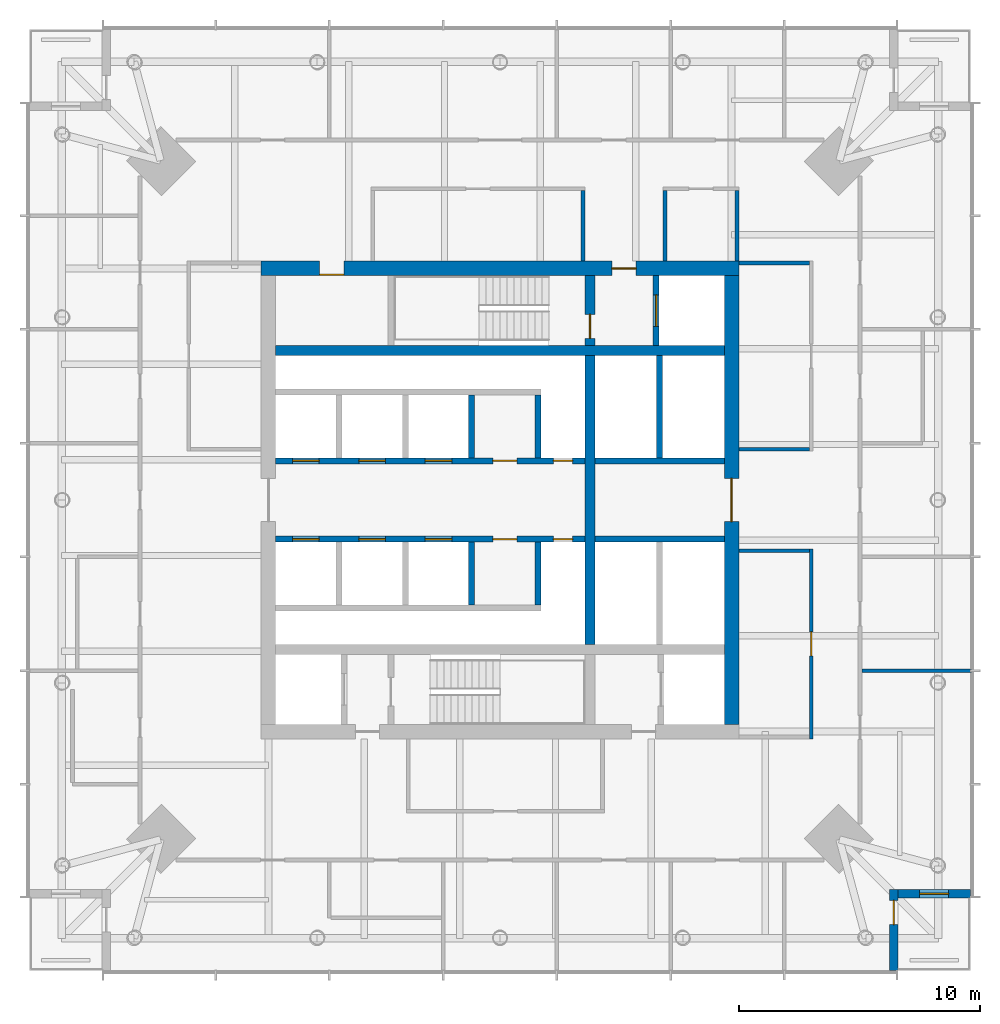
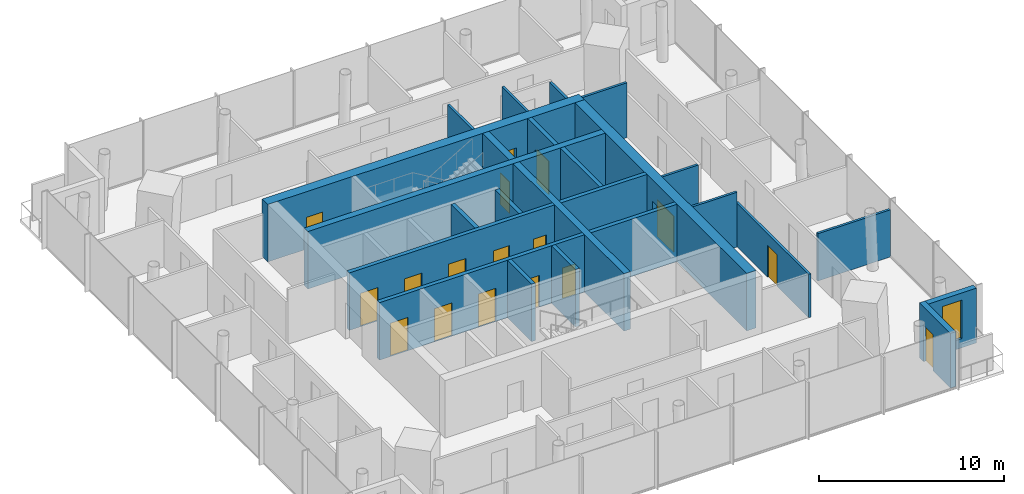
# One storey, part 5 of 7: 25 walls, 17 doors, 1 window, 18 openings.
"""IFC4 building model written with IfcOpenShell, lengths in metres."""

from ifc_helpers import new_model, si_unit, direction, frame, frame_2d, origin, place, context, subcontext, project, spatial, rectangle, extrude, material, layer, layer_set, type_object, element, fill, save


model = new_model("IFC4")

# Units and contexts
model_context = context("Model", 3, precision=1e-05, world=origin(), true_north=direction((0.0, 1.0)))
body_context = subcontext(model_context, "Body", "Model", "MODEL_VIEW")
ifc_project = project(units=[si_unit("LENGTHUNIT", "METRE"), si_unit("AREAUNIT", "SQUARE_METRE"), si_unit("VOLUMEUNIT", "CUBIC_METRE"), si_unit("PLANEANGLEUNIT", "RADIAN"), si_unit("MASSUNIT", "GRAM", prefix="KILO")], contexts=[model_context])

# Site, building, storey
site_placement = place(None, origin())
site = spatial("IfcSite", under=ifc_project, at=site_placement, CompositionType="ELEMENT")
building_placement = place(site_placement, origin())
building = spatial("IfcBuilding", under=site, at=building_placement, Name="Ostroluk Exchange", CompositionType="ELEMENT")
storey_placement = place(building_placement, frame((0.0, 0.0, 203.39990234375)))
storey = spatial("IfcBuildingStorey", under=building, at=storey_placement, Name="L52", CompositionType="ELEMENT", Elevation=203.39990234375)

# Walls
ifc_material_1 = material(Name="Concrete C50/60", Category="concrete")
ifc_layer_1 = layer(ifc_material_1, 0.39990234375)
ifc_layer_set_1 = layer_set([ifc_layer_1], Name="Core cross wall 400 C50/60")
wall_type_1 = type_object("IfcWallType", Name="Core cross wall 400 C50/60", PredefinedType="SHEAR", material=ifc_layer_set_1)
wall_1_placement = place(storey_placement, frame((35.699951171875, 52.199951171875, 0.0), z_axis=(0.0, 0.0, 1.0), x_axis=(1.0, 0.0, 0.0)))
element("IfcWall", 1, at=wall_1_placement, inside=storey, type_object=wall_type_1, Name="T1 core wall XN", PredefinedType="SHEAR", context=body_context, shape_type="SweptSolid", body=[
    extrude(rectangle(XDim=18.60009765625, YDim=0.39990234375, at=frame_2d((9.300048828125, 0.0))), origin(), (0.0, 0.0, 1.0), 3.800048828125),
])
wall_2_placement = place(storey_placement, frame((48.72998046875, 40.0, 0.0), z_axis=(0.0, 0.0, 1.0), x_axis=(0.0, 1.0, 0.0)))
element("IfcWall", 2, at=wall_2_placement, inside=storey, type_object=wall_type_1, Name="T1 core wall YE2", PredefinedType="SHEAR", context=body_context, shape_type="SweptSolid", body=[
    extrude(rectangle(XDim=12.0, YDim=0.39990234375, at=frame_2d((6.0, 0.0))), origin(), (0.0, 0.0, 1.0), 3.800048828125),
])

# Wall, opening, door
wall_3_placement = place(storey_placement, frame((48.72998046875, 52.39990234375, 0.0), z_axis=(0.0, 0.0, 1.0), x_axis=(0.0, 1.0, 0.0)))
wall_3 = element("IfcWall", 3, at=wall_3_placement, inside=storey, type_object=wall_type_1, Name="T1 core wall YE3", PredefinedType="SHEAR", context=body_context, shape_type="SweptSolid", body=[
    extrude(rectangle(XDim=2.900146484375, YDim=0.39990234375, at=frame_2d((1.4501953125, 0.0))), origin(), (0.0, 0.0, 1.0), 3.800048828125),
])
opening_1_placement = place(wall_3_placement, frame((0.300048828125, 0.0, 0.0)))
opening_1 = element("IfcOpeningElement", 4, at=opening_1_placement, cuts=wall_3, Name="Opening FD60", PredefinedType="OPENING", context=body_context, shape_type="SweptSolid", body=[
    extrude(rectangle(XDim=1.0, YDim=2.10009765625, at=frame_2d((0.5, 1.050048828125))), frame((0.0, 0.2099609375, 0.0), z_axis=(0.0, -1.0, 0.0), x_axis=(1.0, 0.0, 0.0)), (0.0, 0.0, 1.0), 0.419921875),
])
ifc_material_2 = material(Name="Steel", Category="steel")
door_type_1 = type_object("IfcDoorType", Name="Fire door EI 60 1000 x 2100", OperationType="SINGLE_SWING_LEFT", PredefinedType="DOOR", material=ifc_material_2)
door_1_placement = place(opening_1_placement, origin())
door_1 = element("IfcDoor", 5, at=door_1_placement, inside=storey, type_object=door_type_1, Name="Stair T1-S2 door", OperationType="SINGLE_SWING_LEFT", OverallHeight=2.10009765625, OverallWidth=1.0, PredefinedType="DOOR", context=body_context, shape_type="SweptSolid", body=[
    extrude(rectangle(XDim=1.0, YDim=2.10009765625, at=frame_2d((0.5, 1.050048828125))), frame((0.0, 0.02490234375, 0.0), z_axis=(0.0, -1.0, 0.0), x_axis=(1.0, 0.0, 0.0)), (0.0, 0.0, 1.0), 0.050048828125),
])
fill(opening_1, door_1)

ifc_material_3 = material(Name="Concrete C40/50", Category="concrete")
ifc_layer_2 = layer(ifc_material_3, 0.25)
ifc_layer_set_2 = layer_set([ifc_layer_2], Name="Core shaft wall 250")
wall_type_2 = type_object("IfcWallType", Name="Core shaft wall 250", PredefinedType="SHEAR", material=ifc_layer_set_2)
wall_4_placement = place(storey_placement, frame((51.47509765625, 52.39990234375, 0.0), z_axis=(0.0, 0.0, 1.0), x_axis=(0.0, 1.0, 0.0)))
wall_4 = element("IfcWall", 6, at=wall_4_placement, inside=storey, type_object=wall_type_2, Name="Firefighting lift shaft wall", PredefinedType="SHEAR", context=body_context, shape_type="SweptSolid", body=[
    extrude(rectangle(XDim=2.900146484375, YDim=0.25, at=frame_2d((1.4501953125, 0.0))), origin(), (0.0, 0.0, 1.0), 3.800048828125),
])
opening_2_placement = place(wall_4_placement, frame((0.800048828125, 0.0, 0.0)))
opening_2 = element("IfcOpeningElement", 7, at=opening_2_placement, cuts=wall_4, Name="Opening LD2", PredefinedType="OPENING", context=body_context, shape_type="SweptSolid", body=[
    extrude(rectangle(XDim=1.300048828125, YDim=2.199951171875, at=frame_2d((0.64990234375, 1.10009765625))), frame((0.0, 0.135009765625, 0.0), z_axis=(0.0, -1.0, 0.0), x_axis=(1.0, 0.0, 0.0)), (0.0, 0.0, 1.0), 0.27001953125),
])
ifc_material_4 = material(Name="Stainless steel", Category="steel")
door_type_2 = type_object("IfcDoorType", Name="Lift landing door E 60 1300 x 2200", OperationType="DOUBLE_DOOR_SLIDING", PredefinedType="DOOR", material=ifc_material_4)
door_2_placement = place(opening_2_placement, origin())
door_2 = element("IfcDoor", 8, at=door_2_placement, inside=storey, type_object=door_type_2, Name="Lift FL2 landing door", OperationType="DOUBLE_DOOR_SLIDING", OverallHeight=2.199951171875, OverallWidth=1.300048828125, PredefinedType="DOOR", context=body_context, shape_type="SweptSolid", body=[
    extrude(rectangle(XDim=1.300048828125, YDim=2.199951171875, at=frame_2d((0.64990234375, 1.10009765625))), frame((0.0, 0.02490234375, 0.0), z_axis=(0.0, -1.0, 0.0), x_axis=(1.0, 0.0, 0.0)), (0.0, 0.0, 1.0), 0.050048828125),
])
fill(opening_2, door_2)

# Walls
for number, where, z_axis, x_axis, name in (
    (9, (43.824951171875, 47.75, 0.0), (0.0, 0.0, 1.0), (0.0, 1.0, 0.0), "Lift shaft wall"),
    (10, (46.574951171875, 47.75, 0.0), (0.0, 0.0, 1.0), (0.0, 1.0, 0.0), "Lift shaft wall"),
):
    element("IfcWall", number, at=place(storey_placement, frame(where, z_axis=z_axis, x_axis=x_axis)), inside=storey, type_object=wall_type_2, Name=name, PredefinedType="SHEAR", context=body_context, shape_type="SweptSolid", body=[
        extrude(rectangle(XDim=2.60009765625, YDim=0.25, at=frame_2d((1.300048828125, 0.0))), origin(), (0.0, 0.0, 1.0), 3.800048828125),
    ])

# Wall, openings, doors
wall_5_placement = place(storey_placement, frame((35.699951171875, 47.625, 0.0), z_axis=(0.0, 0.0, 1.0), x_axis=(1.0, 0.0, 0.0)))
wall_5 = element("IfcWall", 11, at=wall_5_placement, inside=storey, type_object=wall_type_2, Name="Lift shaft front wall", PredefinedType="SHEAR", context=body_context, shape_type="SweptSolid", body=[
    extrude(rectangle(XDim=12.830078125, YDim=0.25, at=frame_2d((6.4150390625, 0.0))), origin(), (0.0, 0.0, 1.0), 3.800048828125),
])
opening_3_placement = place(wall_5_placement, frame((0.699951171875, 0.0, 0.0)))
opening_3 = element("IfcOpeningElement", 12, at=opening_3_placement, cuts=wall_5, Name="Opening LD", PredefinedType="OPENING", context=body_context, shape_type="SweptSolid", body=[
    extrude(rectangle(XDim=1.10009765625, YDim=2.199951171875, at=frame_2d((0.550048828125, 1.10009765625))), frame((0.0, 0.135009765625, 0.0), z_axis=(0.0, -1.0, 0.0), x_axis=(1.0, 0.0, 0.0)), (0.0, 0.0, 1.0), 0.27001953125),
])
opening_4_placement = place(wall_5_placement, frame((3.449951171875, 0.0, 0.0)))
opening_4 = element("IfcOpeningElement", 13, at=opening_4_placement, cuts=wall_5, Name="Opening LD", PredefinedType="OPENING", context=body_context, shape_type="SweptSolid", body=[
    extrude(rectangle(XDim=1.10009765625, YDim=2.199951171875, at=frame_2d((0.550048828125, 1.10009765625))), frame((0.0, 0.135009765625, 0.0), z_axis=(0.0, -1.0, 0.0), x_axis=(1.0, 0.0, 0.0)), (0.0, 0.0, 1.0), 0.27001953125),
])
opening_5_placement = place(wall_5_placement, frame((6.199951171875, 0.0, 0.0)))
opening_5 = element("IfcOpeningElement", 14, at=opening_5_placement, cuts=wall_5, Name="Opening LD", PredefinedType="OPENING", context=body_context, shape_type="SweptSolid", body=[
    extrude(rectangle(XDim=1.10009765625, YDim=2.199951171875, at=frame_2d((0.550048828125, 1.10009765625))), frame((0.0, 0.135009765625, 0.0), z_axis=(0.0, -1.0, 0.0), x_axis=(1.0, 0.0, 0.0)), (0.0, 0.0, 1.0), 0.27001953125),
])
opening_6_placement = place(wall_5_placement, frame((9.0, 0.0, 0.0)))
opening_6 = element("IfcOpeningElement", 15, at=opening_6_placement, cuts=wall_5, Name="Opening FD60", PredefinedType="OPENING", context=body_context, shape_type="SweptSolid", body=[
    extrude(rectangle(XDim=1.0, YDim=2.10009765625, at=frame_2d((0.5, 1.050048828125))), frame((0.0, 0.135009765625, 0.0), z_axis=(0.0, -1.0, 0.0), x_axis=(1.0, 0.0, 0.0)), (0.0, 0.0, 1.0), 0.27001953125),
])
opening_7_placement = place(wall_5_placement, frame((11.514892578125, 0.0, 0.0)))
opening_7 = element("IfcOpeningElement", 16, at=opening_7_placement, cuts=wall_5, Name="Opening RD60", PredefinedType="OPENING", context=body_context, shape_type="SweptSolid", body=[
    extrude(rectangle(XDim=0.800048828125, YDim=2.0, at=frame_2d((0.39990234375, 1.0))), frame((0.0, 0.135009765625, 0.0), z_axis=(0.0, -1.0, 0.0), x_axis=(1.0, 0.0, 0.0)), (0.0, 0.0, 1.0), 0.27001953125),
])
door_3_placement = place(opening_6_placement, origin())
door_3 = element("IfcDoor", 17, at=door_3_placement, inside=storey, type_object=door_type_1, Name="Core room door", OperationType="SINGLE_SWING_RIGHT", OverallHeight=2.10009765625, OverallWidth=1.0, PredefinedType="DOOR", context=body_context, shape_type="SweptSolid", body=[
    extrude(rectangle(XDim=1.0, YDim=2.10009765625, at=frame_2d((0.5, 1.050048828125))), frame((0.0, 0.02490234375, 0.0), z_axis=(0.0, -1.0, 0.0), x_axis=(1.0, 0.0, 0.0)), (0.0, 0.0, 1.0), 0.050048828125),
])
fill(opening_6, door_3)
ifc_material_5 = material(Name="Stainless steel", Category="steel")
door_type_3 = type_object("IfcDoorType", Name="Lift landing door E 60 1100 x 2200", OperationType="DOUBLE_DOOR_SLIDING", PredefinedType="DOOR", material=ifc_material_5)
door_4_placement = place(opening_3_placement, origin())
door_4 = element("IfcDoor", 18, at=door_4_placement, inside=storey, type_object=door_type_3, Name="Lift PL-H1 landing door", OperationType="DOUBLE_DOOR_SLIDING", OverallHeight=2.199951171875, OverallWidth=1.10009765625, PredefinedType="DOOR", context=body_context, shape_type="SweptSolid", body=[
    extrude(rectangle(XDim=1.10009765625, YDim=2.199951171875, at=frame_2d((0.550048828125, 1.10009765625))), frame((0.0, 0.02490234375, 0.0), z_axis=(0.0, -1.0, 0.0), x_axis=(1.0, 0.0, 0.0)), (0.0, 0.0, 1.0), 0.050048828125),
])
fill(opening_3, door_4)
door_5_placement = place(opening_4_placement, origin())
door_5 = element("IfcDoor", 19, at=door_5_placement, inside=storey, type_object=door_type_3, Name="Lift PL-H2 landing door", OperationType="DOUBLE_DOOR_SLIDING", OverallHeight=2.199951171875, OverallWidth=1.10009765625, PredefinedType="DOOR", context=body_context, shape_type="SweptSolid", body=[
    extrude(rectangle(XDim=1.10009765625, YDim=2.199951171875, at=frame_2d((0.550048828125, 1.10009765625))), frame((0.0, 0.02490234375, 0.0), z_axis=(0.0, -1.0, 0.0), x_axis=(1.0, 0.0, 0.0)), (0.0, 0.0, 1.0), 0.050048828125),
])
fill(opening_4, door_5)
door_6_placement = place(opening_5_placement, origin())
door_6 = element("IfcDoor", 20, at=door_6_placement, inside=storey, type_object=door_type_3, Name="Lift PL-H3 landing door", OperationType="DOUBLE_DOOR_SLIDING", OverallHeight=2.199951171875, OverallWidth=1.10009765625, PredefinedType="DOOR", context=body_context, shape_type="SweptSolid", body=[
    extrude(rectangle(XDim=1.10009765625, YDim=2.199951171875, at=frame_2d((0.550048828125, 1.10009765625))), frame((0.0, 0.02490234375, 0.0), z_axis=(0.0, -1.0, 0.0), x_axis=(1.0, 0.0, 0.0)), (0.0, 0.0, 1.0), 0.050048828125),
])
fill(opening_5, door_6)
ifc_material_6 = material(Name="Steel", Category="steel")
door_type_4 = type_object("IfcDoorType", Name="Riser access door EI 60 800 x 2000", OperationType="SINGLE_SWING_LEFT", PredefinedType="DOOR", material=ifc_material_6)
door_7_placement = place(opening_7_placement, origin())
door_7 = element("IfcDoor", 21, at=door_7_placement, inside=storey, type_object=door_type_4, Name="Riser access door", OperationType="SINGLE_SWING_RIGHT", OverallHeight=2.0, OverallWidth=0.800048828125, PredefinedType="DOOR", context=body_context, shape_type="SweptSolid", body=[
    extrude(rectangle(XDim=0.800048828125, YDim=2.0, at=frame_2d((0.39990234375, 1.0))), frame((0.0, 0.02490234375, 0.0), z_axis=(0.0, -1.0, 0.0), x_axis=(1.0, 0.0, 0.0)), (0.0, 0.0, 1.0), 0.050048828125),
])
fill(opening_7, door_7)

# Walls
for number, where, z_axis, x_axis, name in (
    (22, (43.824951171875, 44.25, 0.0), (0.0, 0.0, 1.0), (0.0, -1.0, 0.0), "Lift shaft wall"),
    (23, (46.574951171875, 44.25, 0.0), (0.0, 0.0, 1.0), (0.0, -1.0, 0.0), "Lift shaft wall"),
):
    element("IfcWall", number, at=place(storey_placement, frame(where, z_axis=z_axis, x_axis=x_axis)), inside=storey, type_object=wall_type_2, Name=name, PredefinedType="SHEAR", context=body_context, shape_type="SweptSolid", body=[
        extrude(rectangle(XDim=2.60009765625, YDim=0.25, at=frame_2d((1.300048828125, 0.0))), origin(), (0.0, 0.0, 1.0), 3.800048828125),
    ])

# Wall, openings, doors
wall_6_placement = place(storey_placement, frame((35.699951171875, 44.375, 0.0), z_axis=(0.0, 0.0, 1.0), x_axis=(1.0, 0.0, 0.0)))
wall_6 = element("IfcWall", 24, at=wall_6_placement, inside=storey, type_object=wall_type_2, Name="Lift shaft front wall", PredefinedType="SHEAR", context=body_context, shape_type="SweptSolid", body=[
    extrude(rectangle(XDim=12.830078125, YDim=0.25, at=frame_2d((6.4150390625, 0.0))), origin(), (0.0, 0.0, 1.0), 3.800048828125),
])
opening_8_placement = place(wall_6_placement, frame((0.699951171875, 0.0, 0.0)))
opening_8 = element("IfcOpeningElement", 25, at=opening_8_placement, cuts=wall_6, Name="Opening LD", PredefinedType="OPENING", context=body_context, shape_type="SweptSolid", body=[
    extrude(rectangle(XDim=1.10009765625, YDim=2.199951171875, at=frame_2d((0.550048828125, 1.10009765625))), frame((0.0, 0.135009765625, 0.0), z_axis=(0.0, -1.0, 0.0), x_axis=(1.0, 0.0, 0.0)), (0.0, 0.0, 1.0), 0.27001953125),
])
opening_9_placement = place(wall_6_placement, frame((3.449951171875, 0.0, 0.0)))
opening_9 = element("IfcOpeningElement", 26, at=opening_9_placement, cuts=wall_6, Name="Opening LD", PredefinedType="OPENING", context=body_context, shape_type="SweptSolid", body=[
    extrude(rectangle(XDim=1.10009765625, YDim=2.199951171875, at=frame_2d((0.550048828125, 1.10009765625))), frame((0.0, 0.135009765625, 0.0), z_axis=(0.0, -1.0, 0.0), x_axis=(1.0, 0.0, 0.0)), (0.0, 0.0, 1.0), 0.27001953125),
])
opening_10_placement = place(wall_6_placement, frame((6.199951171875, 0.0, 0.0)))
opening_10 = element("IfcOpeningElement", 27, at=opening_10_placement, cuts=wall_6, Name="Opening LD", PredefinedType="OPENING", context=body_context, shape_type="SweptSolid", body=[
    extrude(rectangle(XDim=1.10009765625, YDim=2.199951171875, at=frame_2d((0.550048828125, 1.10009765625))), frame((0.0, 0.135009765625, 0.0), z_axis=(0.0, -1.0, 0.0), x_axis=(1.0, 0.0, 0.0)), (0.0, 0.0, 1.0), 0.27001953125),
])
opening_11_placement = place(wall_6_placement, frame((9.0, 0.0, 0.0)))
opening_11 = element("IfcOpeningElement", 28, at=opening_11_placement, cuts=wall_6, Name="Opening FD60", PredefinedType="OPENING", context=body_context, shape_type="SweptSolid", body=[
    extrude(rectangle(XDim=1.0, YDim=2.10009765625, at=frame_2d((0.5, 1.050048828125))), frame((0.0, 0.135009765625, 0.0), z_axis=(0.0, -1.0, 0.0), x_axis=(1.0, 0.0, 0.0)), (0.0, 0.0, 1.0), 0.27001953125),
])
opening_12_placement = place(wall_6_placement, frame((11.514892578125, 0.0, 0.0)))
opening_12 = element("IfcOpeningElement", 29, at=opening_12_placement, cuts=wall_6, Name="Opening RD60", PredefinedType="OPENING", context=body_context, shape_type="SweptSolid", body=[
    extrude(rectangle(XDim=0.800048828125, YDim=2.0, at=frame_2d((0.39990234375, 1.0))), frame((0.0, 0.135009765625, 0.0), z_axis=(0.0, -1.0, 0.0), x_axis=(1.0, 0.0, 0.0)), (0.0, 0.0, 1.0), 0.27001953125),
])
door_8_placement = place(opening_11_placement, origin())
door_8 = element("IfcDoor", 30, at=door_8_placement, inside=storey, type_object=door_type_1, Name="Core room door", OperationType="SINGLE_SWING_RIGHT", OverallHeight=2.10009765625, OverallWidth=1.0, PredefinedType="DOOR", context=body_context, shape_type="SweptSolid", body=[
    extrude(rectangle(XDim=1.0, YDim=2.10009765625, at=frame_2d((0.5, 1.050048828125))), frame((0.0, 0.02490234375, 0.0), z_axis=(0.0, -1.0, 0.0), x_axis=(1.0, 0.0, 0.0)), (0.0, 0.0, 1.0), 0.050048828125),
])
fill(opening_11, door_8)
door_9_placement = place(opening_8_placement, origin())
door_9 = element("IfcDoor", 31, at=door_9_placement, inside=storey, type_object=door_type_3, Name="Lift PL-H4 landing door", OperationType="DOUBLE_DOOR_SLIDING", OverallHeight=2.199951171875, OverallWidth=1.10009765625, PredefinedType="DOOR", context=body_context, shape_type="SweptSolid", body=[
    extrude(rectangle(XDim=1.10009765625, YDim=2.199951171875, at=frame_2d((0.550048828125, 1.10009765625))), frame((0.0, 0.02490234375, 0.0), z_axis=(0.0, -1.0, 0.0), x_axis=(1.0, 0.0, 0.0)), (0.0, 0.0, 1.0), 0.050048828125),
])
fill(opening_8, door_9)
door_10_placement = place(opening_9_placement, origin())
door_10 = element("IfcDoor", 32, at=door_10_placement, inside=storey, type_object=door_type_3, Name="Lift PL-H5 landing door", OperationType="DOUBLE_DOOR_SLIDING", OverallHeight=2.199951171875, OverallWidth=1.10009765625, PredefinedType="DOOR", context=body_context, shape_type="SweptSolid", body=[
    extrude(rectangle(XDim=1.10009765625, YDim=2.199951171875, at=frame_2d((0.550048828125, 1.10009765625))), frame((0.0, 0.02490234375, 0.0), z_axis=(0.0, -1.0, 0.0), x_axis=(1.0, 0.0, 0.0)), (0.0, 0.0, 1.0), 0.050048828125),
])
fill(opening_9, door_10)
door_11_placement = place(opening_10_placement, origin())
door_11 = element("IfcDoor", 33, at=door_11_placement, inside=storey, type_object=door_type_3, Name="Lift PL-H6 landing door", OperationType="DOUBLE_DOOR_SLIDING", OverallHeight=2.199951171875, OverallWidth=1.10009765625, PredefinedType="DOOR", context=body_context, shape_type="SweptSolid", body=[
    extrude(rectangle(XDim=1.10009765625, YDim=2.199951171875, at=frame_2d((0.550048828125, 1.10009765625))), frame((0.0, 0.02490234375, 0.0), z_axis=(0.0, -1.0, 0.0), x_axis=(1.0, 0.0, 0.0)), (0.0, 0.0, 1.0), 0.050048828125),
])
fill(opening_10, door_11)
door_12_placement = place(opening_12_placement, origin())
door_12 = element("IfcDoor", 34, at=door_12_placement, inside=storey, type_object=door_type_4, Name="Riser access door", OperationType="SINGLE_SWING_RIGHT", OverallHeight=2.0, OverallWidth=0.800048828125, PredefinedType="DOOR", context=body_context, shape_type="SweptSolid", body=[
    extrude(rectangle(XDim=0.800048828125, YDim=2.0, at=frame_2d((0.39990234375, 1.0))), frame((0.0, 0.02490234375, 0.0), z_axis=(0.0, -1.0, 0.0), x_axis=(1.0, 0.0, 0.0)), (0.0, 0.0, 1.0), 0.050048828125),
])
fill(opening_12, door_12)

# Walls
wall_7_placement = place(storey_placement, frame((51.614990234375, 47.75, 0.0), z_axis=(0.0, 0.0, 1.0), x_axis=(0.0, 1.0, 0.0)))
element("IfcWall", 35, at=wall_7_placement, inside=storey, type_object=wall_type_2, Name="Lift shaft wall", PredefinedType="SHEAR", context=body_context, shape_type="SweptSolid", body=[
    extrude(rectangle(XDim=4.25, YDim=0.25, at=frame_2d((2.125, 0.0))), origin(), (0.0, 0.0, 1.0), 3.800048828125),
])
for number, where, z_axis, x_axis, name in (
    (36, (48.929931640625, 47.625, 0.0), (0.0, 0.0, 1.0), (1.0, 0.0, 0.0), "Lift shaft front wall"),
    (37, (48.929931640625, 44.375, 0.0), (0.0, 0.0, 1.0), (1.0, 0.0, 0.0), "Lift shaft front wall"),
):
    element("IfcWall", number, at=place(storey_placement, frame(where, z_axis=z_axis, x_axis=x_axis)), inside=storey, type_object=wall_type_2, Name=name, PredefinedType="SHEAR", context=body_context, shape_type="SweptSolid", body=[
        extrude(rectangle(XDim=5.3701171875, YDim=0.25, at=frame_2d((2.68505859375, 0.0))), origin(), (0.0, 0.0, 1.0), 3.800048828125),
    ])

# Wall, openings, doors
ifc_material_7 = material(Name="Concrete C50/60", Category="concrete")
ifc_layer_3 = layer(ifc_material_7, 0.60009765625)
ifc_layer_set_3 = layer_set([ifc_layer_3], Name="Core wall 600 C50/60")
wall_type_3 = type_object("IfcWallType", Name="Core wall 600 C50/60", PredefinedType="SHEAR", material=ifc_layer_set_3)
wall_8_placement = place(storey_placement, frame((35.10009765625, 55.60009765625, 0.0), z_axis=(0.0, 0.0, 1.0), x_axis=(1.0, 0.0, 0.0)))
wall_8 = element("IfcWall", 38, at=wall_8_placement, inside=storey, type_object=wall_type_3, Name="T1 core wall N", PredefinedType="SHEAR", context=body_context, shape_type="SweptSolid", body=[
    extrude(rectangle(XDim=19.7998046875, YDim=0.60009765625, at=frame_2d((9.89990234375, 0.0))), origin(), (0.0, 0.0, 1.0), 3.800048828125),
])
opening_13_placement = place(wall_8_placement, frame((14.5400390625, 0.0, 0.0)))
opening_13 = element("IfcOpeningElement", 39, at=opening_13_placement, cuts=wall_8, Name="Opening FD60", PredefinedType="OPENING", context=body_context, shape_type="SweptSolid", body=[
    extrude(rectangle(XDim=1.0, YDim=2.10009765625, at=frame_2d((0.5, 1.050048828125))), frame((0.0, 0.31005859375, 0.0), z_axis=(0.0, -1.0, 0.0), x_axis=(1.0, 0.0, 0.0)), (0.0, 0.0, 1.0), 0.6201171875),
])
opening_14_placement = place(wall_8_placement, frame((2.425048828125, 0.0, 0.0)))
opening_14 = element("IfcOpeningElement", 40, at=opening_14_placement, cuts=wall_8, Name="Opening FD60", PredefinedType="OPENING", context=body_context, shape_type="SweptSolid", body=[
    extrude(rectangle(XDim=1.0, YDim=2.10009765625, at=frame_2d((0.5, 1.050048828125))), frame((0.0, 0.31005859375, 0.0), z_axis=(0.0, -1.0, 0.0), x_axis=(1.0, 0.0, 0.0)), (0.0, 0.0, 1.0), 0.6201171875),
])
door_13_placement = place(opening_13_placement, origin())
door_13 = element("IfcDoor", 41, at=door_13_placement, inside=storey, type_object=door_type_1, Name="Firefighting lobby door", OperationType="SINGLE_SWING_RIGHT", OverallHeight=2.10009765625, OverallWidth=1.0, PredefinedType="DOOR", context=body_context, shape_type="SweptSolid", body=[
    extrude(rectangle(XDim=1.0, YDim=2.10009765625, at=frame_2d((0.5, 1.050048828125))), frame((0.0, 0.02490234375, 0.0), z_axis=(0.0, -1.0, 0.0), x_axis=(1.0, 0.0, 0.0)), (0.0, 0.0, 1.0), 0.050048828125),
])
fill(opening_13, door_13)
door_14_placement = place(opening_14_placement, origin())
door_14 = element("IfcDoor", 42, at=door_14_placement, inside=storey, type_object=door_type_1, Name="Tea point door", OperationType="SINGLE_SWING_LEFT", OverallHeight=2.10009765625, OverallWidth=1.0, PredefinedType="DOOR", context=body_context, shape_type="SweptSolid", body=[
    extrude(rectangle(XDim=1.0, YDim=2.10009765625, at=frame_2d((0.5, 1.050048828125))), frame((0.0, -0.23974609375, 0.0), z_axis=(0.0, -1.0, 0.0), x_axis=(1.0, 0.0, 0.0)), (0.0, 0.0, 1.0), 0.050048828125),
])
fill(opening_14, door_14)

# Wall, opening, door
wall_9_placement = place(storey_placement, frame((54.60009765625, 36.699951171875, 0.0), z_axis=(0.0, 0.0, 1.0), x_axis=(0.0, 1.0, 0.0)))
wall_9 = element("IfcWall", 43, at=wall_9_placement, inside=storey, type_object=wall_type_3, Name="T1 core wall E", PredefinedType="SHEAR", context=body_context, shape_type="SweptSolid", body=[
    extrude(rectangle(XDim=18.60009765625, YDim=0.60009765625, at=frame_2d((9.300048828125, 0.0))), origin(), (0.0, 0.0, 1.0), 3.800048828125),
])
opening_15_placement = place(wall_9_placement, frame((8.39990234375, 0.0, 0.0)))
opening_15 = element("IfcOpeningElement", 44, at=opening_15_placement, cuts=wall_9, Name="Opening FD30D", PredefinedType="OPENING", context=body_context, shape_type="SweptSolid", body=[
    extrude(rectangle(XDim=1.800048828125, YDim=2.39990234375, at=frame_2d((0.89990234375, 1.199951171875))), frame((0.0, 0.31005859375, 0.0), z_axis=(0.0, -1.0, 0.0), x_axis=(1.0, 0.0, 0.0)), (0.0, 0.0, 1.0), 0.6201171875),
])
ifc_material_8 = material(Name="Timber", Category="wood")
door_type_5 = type_object("IfcDoorType", Name="Lobby double door EI 30 1800 x 2400", OperationType="DOUBLE_DOOR_SINGLE_SWING", PredefinedType="DOOR", material=ifc_material_8)
door_15_placement = place(opening_15_placement, origin())
door_15 = element("IfcDoor", 45, at=door_15_placement, inside=storey, type_object=door_type_5, Name="Lift lobby doors", OperationType="DOUBLE_DOOR_SINGLE_SWING", OverallHeight=2.39990234375, OverallWidth=1.800048828125, PredefinedType="DOOR", context=body_context, shape_type="SweptSolid", body=[
    extrude(rectangle(XDim=1.800048828125, YDim=2.39990234375, at=frame_2d((0.89990234375, 1.199951171875))), frame((0.0, 0.02490234375, 0.0), z_axis=(0.0, -1.0, 0.0), x_axis=(1.0, 0.0, 0.0)), (0.0, 0.0, 1.0), 0.050048828125),
])
fill(opening_15, door_15)

ifc_material_9 = material(Name="Limestone", Category="masonry")
ifc_layer_4 = layer(ifc_material_9, 0.35009765625)
ifc_layer_set_4 = layer_set([ifc_layer_4], Name="Limestone facade wall 350")
wall_type_4 = type_object("IfcWallType", Name="Limestone facade wall 350", PredefinedType="SOLIDWALL", material=ifc_layer_set_4)
wall_10_placement = place(storey_placement, frame((61.324951171875, 26.5, 0.0), z_axis=(0.0, 0.0, 1.0), x_axis=(0.0, 1.0, 0.0)))
wall_10 = element("IfcWall", 46, at=wall_10_placement, inside=storey, type_object=wall_type_4, Name="Office tower SE corner wall L52 a", PredefinedType="SOLIDWALL", context=body_context, shape_type="SweptSolid", body=[
    extrude(rectangle(XDim=3.35009765625, YDim=0.35009765625, at=frame_2d((1.675048828125, 0.0))), origin(), (0.0, 0.0, 1.0), 3.6201171875),
])
opening_16_placement = place(wall_10_placement, frame((1.89990234375, 0.0, 0.0)))
opening_16 = element("IfcOpeningElement", 47, at=opening_16_placement, cuts=wall_10, Name="Opening D-B1", PredefinedType="OPENING", context=body_context, shape_type="SweptSolid", body=[
    extrude(rectangle(XDim=1.0, YDim=2.39990234375, at=frame_2d((0.5, 1.199951171875))), frame((0.0, 0.18505859375, 0.0), z_axis=(0.0, -1.0, 0.0), x_axis=(1.0, 0.0, 0.0)), (0.0, 0.0, 1.0), 0.3701171875),
])
ifc_material_10 = material(Name="Bronze framed glazed door", Category="aluminium")
door_type_6 = type_object("IfcDoorType", Name="Balcony door 1000 x 2400", OperationType="SINGLE_SWING_LEFT", PredefinedType="DOOR", material=ifc_material_10)
door_16_placement = place(opening_16_placement, origin())
door_16 = element("IfcDoor", 48, at=door_16_placement, inside=storey, type_object=door_type_6, Name="Office tower SE balcony door L52", OperationType="SINGLE_SWING_RIGHT", OverallHeight=2.39990234375, OverallWidth=1.0, PredefinedType="DOOR", context=body_context, shape_type="SweptSolid", body=[
    extrude(rectangle(XDim=1.0, YDim=2.39990234375, at=frame_2d((0.5, 1.199951171875))), frame((0.0, 0.02490234375, 0.0), z_axis=(0.0, -1.0, 0.0), x_axis=(1.0, 0.0, 0.0)), (0.0, 0.0, 1.0), 0.050048828125),
])
fill(opening_16, door_16)

# Wall, opening, window
wall_11_placement = place(storey_placement, frame((61.5, 29.675048828125, 0.0), z_axis=(0.0, 0.0, 1.0), x_axis=(1.0, 0.0, 0.0)))
wall_11 = element("IfcWall", 49, at=wall_11_placement, inside=storey, type_object=wall_type_4, Name="Office tower SE corner wall L52 b", PredefinedType="SOLIDWALL", context=body_context, shape_type="SweptSolid", body=[
    extrude(rectangle(XDim=3.0, YDim=0.35009765625, at=frame_2d((1.5, 0.0))), origin(), (0.0, 0.0, 1.0), 3.6201171875),
])
opening_17_placement = place(wall_11_placement, frame((0.89990234375, 0.0, 0.60009765625)))
opening_17 = element("IfcOpeningElement", 50, at=opening_17_placement, cuts=wall_11, Name="Opening WN-L1", PredefinedType="OPENING", context=body_context, shape_type="SweptSolid", body=[
    extrude(rectangle(XDim=1.199951171875, YDim=2.550048828125, at=frame_2d((0.60009765625, 1.27490234375))), frame((0.0, 0.18505859375, 0.0), z_axis=(0.0, -1.0, 0.0), x_axis=(1.0, 0.0, 0.0)), (0.0, 0.0, 1.0), 0.3701171875),
])
ifc_material_11 = material(Name="Laminated clear glass", Category="glass")
window_type = type_object("IfcWindowType", Name="Lancet window 1200 x 2550", PartitioningType="SINGLE_PANEL", PredefinedType="WINDOW", material=ifc_material_11)
window_placement = place(opening_17_placement, origin())
window = element("IfcWindow", 51, at=window_placement, inside=storey, type_object=window_type, Name="Office tower SE lancet window L52", OverallHeight=2.550048828125, OverallWidth=1.199951171875, PartitioningType="SINGLE_PANEL", PredefinedType="WINDOW", context=body_context, shape_type="SweptSolid", body=[
    extrude(rectangle(XDim=1.199951171875, YDim=2.550048828125, at=frame_2d((0.60009765625, 1.27490234375))), frame((0.0, 0.030029296875, 0.0), z_axis=(0.0, -1.0, 0.0), x_axis=(1.0, 0.0, 0.0)), (0.0, 0.0, 1.0), 0.06005859375),
])
fill(opening_17, window)

# Wall, opening, door
ifc_material_12 = material(Name="Gypsum plasterboard partition", Category="gypsum")
ifc_layer_5 = layer(ifc_material_12, 0.14990234375)
ifc_layer_set_5 = layer_set([ifc_layer_5], Name="Plasterboard partition 150")
wall_type_5 = type_object("IfcWallType", Name="Plasterboard partition 150", PredefinedType="PARTITIONING", material=ifc_layer_set_5)
wall_12_placement = place(storey_placement, frame((57.89990234375, 36.10009765625, 0.0), z_axis=(0.0, 0.0, 1.0), x_axis=(0.0, 1.0, 0.0)))
wall_12 = element("IfcWall", 52, at=wall_12_placement, inside=storey, type_object=wall_type_5, Name="Partition", PredefinedType="PARTITIONING", context=body_context, shape_type="SweptSolid", body=[
    extrude(rectangle(XDim=7.875, YDim=0.14990234375, at=frame_2d((3.9375, 0.0))), origin(), (0.0, 0.0, 1.0), 2.8671875),
])
opening_18_placement = place(wall_12_placement, frame((3.4375, 0.0, 0.0)))
opening_18 = element("IfcOpeningElement", 53, at=opening_18_placement, cuts=wall_12, Name="Opening D-03", PredefinedType="OPENING", context=body_context, shape_type="SweptSolid", body=[
    extrude(rectangle(XDim=1.0, YDim=2.10009765625, at=frame_2d((0.5, 1.050048828125))), frame((0.0, 0.0849609375, 0.0), z_axis=(0.0, -1.0, 0.0), x_axis=(1.0, 0.0, 0.0)), (0.0, 0.0, 1.0), 0.169921875),
])
ifc_material_13 = material(Name="Timber", Category="wood")
door_type_7 = type_object("IfcDoorType", Name="Internal door 1000 x 2100", OperationType="SINGLE_SWING_LEFT", PredefinedType="DOOR", material=ifc_material_13)
door_17_placement = place(opening_18_placement, origin())
door_17 = element("IfcDoor", 54, at=door_17_placement, inside=storey, type_object=door_type_7, Name="Meeting room door", OperationType="SINGLE_SWING_LEFT", OverallHeight=2.10009765625, OverallWidth=1.0, PredefinedType="DOOR", context=body_context, shape_type="SweptSolid", body=[
    extrude(rectangle(XDim=1.0, YDim=2.10009765625, at=frame_2d((0.5, 1.050048828125))), frame((0.0, 0.02490234375, 0.0), z_axis=(0.0, -1.0, 0.0), x_axis=(1.0, 0.0, 0.0)), (0.0, 0.0, 1.0), 0.050048828125),
])
fill(opening_18, door_17)

# Walls
wall_13_placement = place(storey_placement, frame((54.89990234375, 43.89990234375, 0.0), z_axis=(0.0, 0.0, 1.0), x_axis=(1.0, 0.0, 0.0)))
element("IfcWall", 55, at=wall_13_placement, inside=storey, type_object=wall_type_5, Name="Partition", PredefinedType="PARTITIONING", context=body_context, shape_type="SweptSolid", body=[
    extrude(rectangle(XDim=2.925048828125, YDim=0.14990234375, at=frame_2d((1.46240234375, 0.0))), origin(), (0.0, 0.0, 1.0), 3.6201171875),
])
wall_14_placement = place(storey_placement, frame((54.89990234375, 48.10009765625, 0.0), z_axis=(0.0, 0.0, 1.0), x_axis=(1.0, 0.0, 0.0)))
element("IfcWall", 56, at=wall_14_placement, inside=storey, type_object=wall_type_5, Name="Partition", PredefinedType="PARTITIONING", context=body_context, shape_type="SweptSolid", body=[
    extrude(rectangle(XDim=2.925048828125, YDim=0.14990234375, at=frame_2d((1.46240234375, 0.0))), origin(), (0.0, 0.0, 1.0), 2.8671875),
])
wall_15_placement = place(storey_placement, frame((54.89990234375, 55.824951171875, 0.0), z_axis=(0.0, 0.0, 1.0), x_axis=(1.0, 0.0, 0.0)))
element("IfcWall", 57, at=wall_15_placement, inside=storey, type_object=wall_type_5, Name="Partition", PredefinedType="PARTITIONING", context=body_context, shape_type="SweptSolid", body=[
    extrude(rectangle(XDim=2.925048828125, YDim=0.14990234375, at=frame_2d((1.46240234375, 0.0))), origin(), (0.0, 0.0, 1.0), 3.6201171875),
])
wall_16_placement = place(storey_placement, frame((54.824951171875, 55.89990234375, 0.0), z_axis=(0.0, 0.0, 1.0), x_axis=(0.0, 1.0, 0.0)))
element("IfcWall", 58, at=wall_16_placement, inside=storey, type_object=wall_type_5, Name="Partition", PredefinedType="PARTITIONING", context=body_context, shape_type="SweptSolid", body=[
    extrude(rectangle(XDim=2.925048828125, YDim=0.14990234375, at=frame_2d((1.46240234375, 0.0))), origin(), (0.0, 0.0, 1.0), 2.8671875),
])
for number, where, z_axis, x_axis, name in (
    (59, (51.840087890625, 55.89990234375, 0.0), (0.0, 0.0, 1.0), (0.0, 1.0, 0.0), "Partition"),
    (60, (48.43994140625, 55.89990234375, 0.0), (0.0, 0.0, 1.0), (0.0, 1.0, 0.0), "Partition"),
):
    element("IfcWall", number, at=place(storey_placement, frame(where, z_axis=z_axis, x_axis=x_axis)), inside=storey, type_object=wall_type_5, Name=name, PredefinedType="PARTITIONING", context=body_context, shape_type="SweptSolid", body=[
        extrude(rectangle(XDim=2.925048828125, YDim=0.14990234375, at=frame_2d((1.46240234375, 0.0))), origin(), (0.0, 0.0, 1.0), 3.6201171875),
    ])
wall_17_placement = place(storey_placement, frame((60.0, 38.928466796875, 0.0), z_axis=(0.0, 0.0, 1.0), x_axis=(1.0, 0.0, 0.0)))
element("IfcWall", 61, at=wall_17_placement, inside=storey, type_object=wall_type_5, Name="Partition", PredefinedType="PARTITIONING", context=body_context, shape_type="SweptSolid", body=[
    extrude(rectangle(XDim=4.5400390625, YDim=0.14990234375, at=frame_2d((2.27001953125, 0.0))), origin(), (0.0, 0.0, 1.0), 3.1201171875),
])

save(model, "model.ifc")
